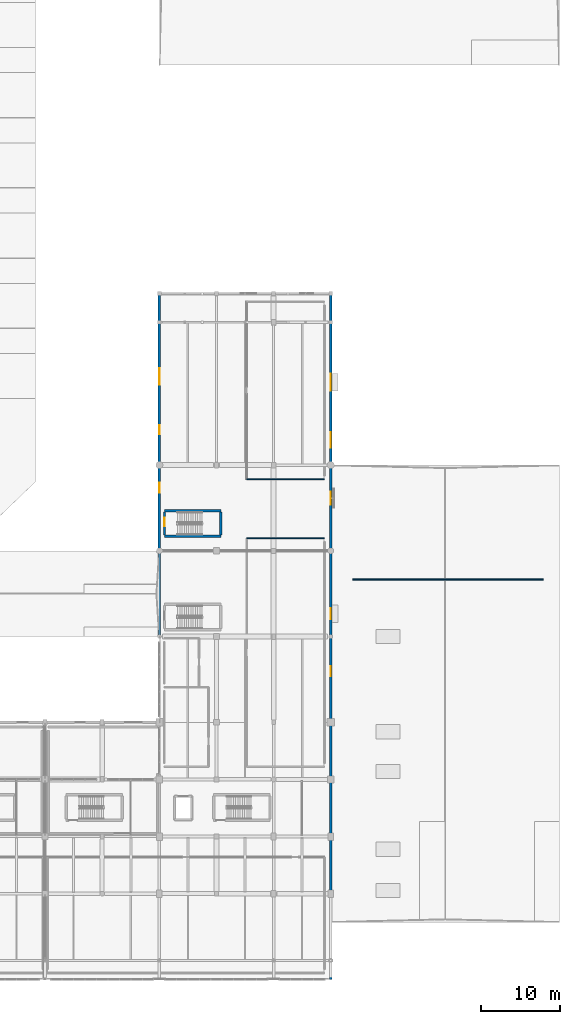
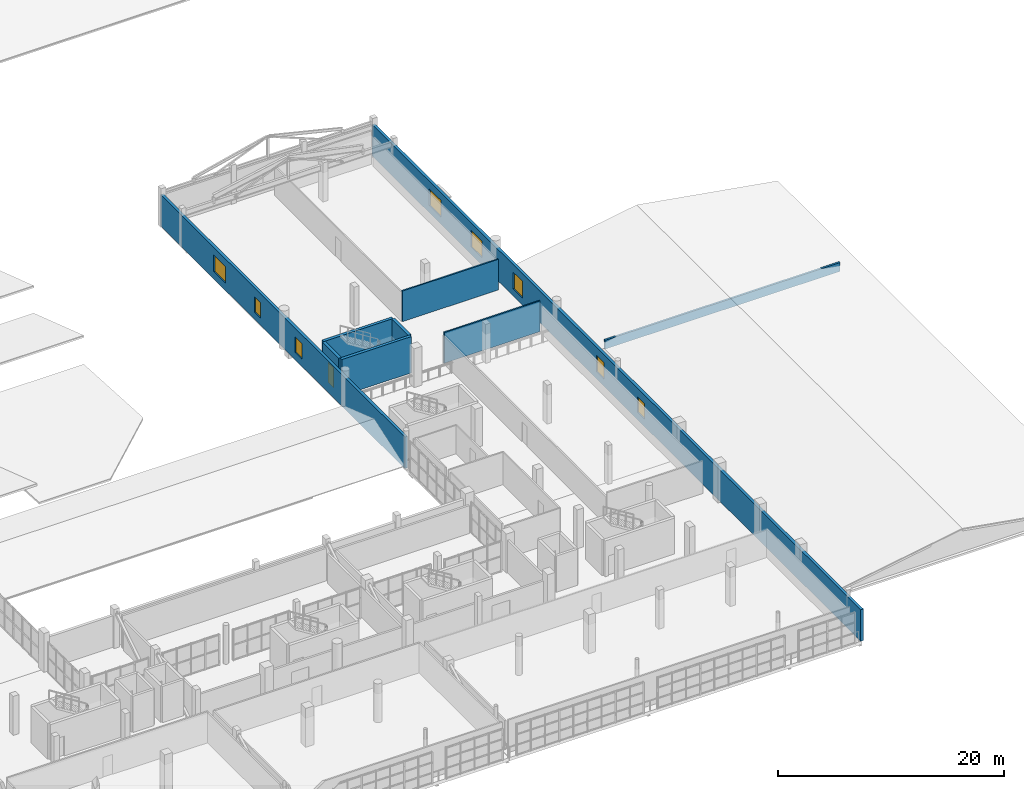
# One storey, part 76 of 90: 9 walls, 8 windows, 1 door, 9 openings.
"""IFC4 building model written with IfcOpenShell, lengths in metres."""

from ifc_helpers import new_model, si_unit, direction, frame, frame_2d, origin, place, context, subcontext, project, spatial, rectangle, extrude, material, layer, layer_set, type_object, element, fill, save


model = new_model("IFC4")

# Units and contexts
model_context = context("Model", 3, precision=1e-05, world=origin(), true_north=direction((0.0, 1.0)))
body_context = subcontext(model_context, "Body", "Model", "MODEL_VIEW")
ifc_project = project(units=[si_unit("LENGTHUNIT", "METRE"), si_unit("AREAUNIT", "SQUARE_METRE"), si_unit("VOLUMEUNIT", "CUBIC_METRE"), si_unit("PLANEANGLEUNIT", "RADIAN"), si_unit("MASSUNIT", "GRAM", prefix="KILO")], contexts=[model_context])

# Site, building, storey
site_placement = place(None, origin())
site = spatial("IfcSite", under=ifc_project, at=site_placement, CompositionType="ELEMENT")
building_placement = place(site_placement, origin())
building = spatial("IfcBuilding", under=site, at=building_placement, Name="Solanera Park Tramway Depot", CompositionType="ELEMENT")
storey_placement = place(building_placement, frame((0.0, 0.0, 9.0)))
storey = spatial("IfcBuildingStorey", under=building, at=storey_placement, Name="L02", CompositionType="ELEMENT", Elevation=9.0)

# Walls
ifc_material_1 = material(Name="Concrete N32 (C32/40)", Category="concrete")
ifc_layer_1 = layer(ifc_material_1, 0.14990234375)
ifc_layer_set_1 = layer_set([ifc_layer_1], Name="Concrete N32 (C32/40)")
wall_type_1 = type_object("IfcWallType", Name="Acoustic Partition 150", PredefinedType="PARTITIONING", material=ifc_layer_set_1)
for number, where, z_axis, x_axis, name in (
    (1, (176.60009765625, 55.60009765625, 0.0), (0.0, 0.0, 1.0), (1.0, 0.0, 0.0), "Passenger Information and GIS Analytics Dividing Wall"),
    (2, (186.39990234375, 63.0, 0.0), (0.0, 0.0, 1.0), (-1.0, 0.0, 0.0), "Cybersecurity Operations SOC Suite Dividing Wall"),
):
    element("IfcWall", number, at=place(storey_placement, frame(where, z_axis=z_axis, x_axis=x_axis)), inside=storey, type_object=wall_type_1, Name=name, PredefinedType="PARTITIONING", context=body_context, shape_type="SweptSolid", body=[
        extrude(rectangle(XDim=9.7998046875, YDim=0.14990234375, at=frame_2d((4.89990234375, 0.0))), origin(), (0.0, 0.0, 1.0), 3.306884765625),
    ])
ifc_material_2 = material(Name="Concrete N40 (C40/50)", Category="concrete")
ifc_layer_2 = layer(ifc_material_2, 0.300048828125)
ifc_layer_set_2 = layer_set([ifc_layer_2], Name="Concrete N40 (C40/50)")
wall_type_2 = type_object("IfcWallType", Name="Core Shear Wall 300", PredefinedType="SHEAR", material=ifc_layer_set_2)
for number, where, z_axis, x_axis, name in (
    (3, (166.25, 55.85009765625, 0.0), (0.0, 0.0, 1.0), (1.0, 0.0, 0.0), "ST-06 L02 Shear Core Wall S"),
    (4, (173.35009765625, 59.050048828125, 0.0), (0.0, 0.0, 1.0), (-1.0, 0.0, 0.0), "ST-06 L02 Shear Core Wall N"),
):
    element("IfcWall", number, at=place(storey_placement, frame(where, z_axis=z_axis, x_axis=x_axis)), inside=storey, type_object=wall_type_2, Name=name, PredefinedType="SHEAR", context=body_context, shape_type="SweptSolid", body=[
        extrude(rectangle(XDim=7.10009765625, YDim=0.300048828125, at=frame_2d((3.550048828125, 0.0))), origin(), (0.0, 0.0, 1.0), 3.925048828125),
    ])
wall_1_placement = place(storey_placement, frame((173.35009765625, 56.0, 0.0), z_axis=(0.0, 0.0, 1.0), x_axis=(0.0, 1.0, 0.0)))
element("IfcWall", 5, at=wall_1_placement, inside=storey, type_object=wall_type_2, Name="ST-06 L02 Shear Core Wall E", PredefinedType="SHEAR", context=body_context, shape_type="SweptSolid", body=[
    extrude(rectangle(XDim=2.89990234375, YDim=0.300048828125, at=frame_2d((1.449951171875, 0.0))), origin(), (0.0, 0.0, 1.0), 3.925048828125),
])

# Wall, opening, door
wall_2_placement = place(storey_placement, frame((166.25, 58.89990234375, 0.0), z_axis=(0.0, 0.0, 1.0), x_axis=(0.0, -1.0, 0.0)))
wall_2 = element("IfcWall", 6, at=wall_2_placement, inside=storey, type_object=wall_type_2, Name="ST-06 L02 Shear Core Wall W", PredefinedType="SHEAR", context=body_context, shape_type="SweptSolid", body=[
    extrude(rectangle(XDim=2.89990234375, YDim=0.300048828125, at=frame_2d((1.449951171875, 0.0))), origin(), (0.0, 0.0, 1.0), 3.925048828125),
])
opening_1_placement = place(wall_2_placement, frame((0.75, 0.0, 0.0)))
opening_1 = element("IfcOpeningElement", 7, at=opening_1_placement, cuts=wall_2, Name="Opening FD-S1L", PredefinedType="OPENING", context=body_context, shape_type="SweptSolid", body=[
    extrude(rectangle(XDim=1.050048828125, YDim=2.14990234375, at=frame_2d((0.52490234375, 1.074951171875))), frame((0.0, 0.16015625, 0.0), z_axis=(0.0, -1.0, 0.0), x_axis=(1.0, 0.0, 0.0)), (0.0, 0.0, 1.0), 0.320068359375),
])
ifc_material_3 = material(Name="Fire-rated steel or solid-core hardwood door leaf", Category="steel")
door_type = type_object("IfcDoorType", Name="Stair Fire Door L 1050x2150", OperationType="SINGLE_SWING_LEFT", PredefinedType="DOOR", material=ifc_material_3)
door_placement = place(opening_1_placement, origin())
door = element("IfcDoor", 8, at=door_placement, inside=storey, type_object=door_type, Name="ST-06 L02 Stair Fire Door", OperationType="SINGLE_SWING_LEFT", OverallHeight=2.14990234375, OverallWidth=1.050048828125, PredefinedType="DOOR", context=body_context, shape_type="SweptSolid", body=[
    extrude(rectangle(XDim=1.050048828125, YDim=2.14990234375, at=frame_2d((0.52490234375, 1.074951171875))), frame((0.0, 0.02490234375, 0.0), z_axis=(0.0, -1.0, 0.0), x_axis=(1.0, 0.0, 0.0)), (0.0, 0.0, 1.0), 0.050048828125),
])
fill(opening_1, door)

# Wall, openings, windows
ifc_material_4 = material(Name="Concrete N32 (C32/40)", Category="concrete")
ifc_layer_3 = layer(ifc_material_4, 0.280029296875)
ifc_layer_set_3 = layer_set([ifc_layer_3], Name="Concrete N32 (C32/40)")
wall_type_3 = type_object("IfcWallType", Name="Ext Stucco Wall 280", PredefinedType="SOLIDWALL", material=ifc_layer_set_3)
wall_3_placement = place(storey_placement, frame((187.199951171875, 0.0, 0.0), z_axis=(0.0, 0.0, 1.0), x_axis=(0.0, 1.0, 0.0)))
wall_3 = element("IfcWall", 9, at=wall_3_placement, inside=storey, type_object=wall_type_3, Name="L02 Exterior Wall #031", PredefinedType="SOLIDWALL", context=body_context, shape_type="SweptSolid", body=[
    extrude(rectangle(XDim=86.39990234375, YDim=0.280029296875, at=frame_2d((43.199951171875, 0.0))), origin(), (0.0, 0.0, 1.0), 3.39990234375),
])
opening_2_placement = place(wall_3_placement, frame((38.199951171875, 0.0, 0.780029296875)))
opening_2 = element("IfcOpeningElement", 10, at=opening_2_placement, cuts=wall_3, Name="Opening WN-C12", PredefinedType="OPENING", context=body_context, shape_type="SweptSolid", body=[
    extrude(rectangle(XDim=1.25, YDim=1.699951171875, at=frame_2d((0.625, 0.85009765625))), frame((0.0, 0.14990234375, 0.0), z_axis=(0.0, -1.0, 0.0), x_axis=(1.0, 0.0, 0.0)), (0.0, 0.0, 1.0), 0.300048828125),
])
opening_3_placement = place(wall_3_placement, frame((45.39990234375, 0.0, 0.780029296875)))
opening_3 = element("IfcOpeningElement", 11, at=opening_3_placement, cuts=wall_3, Name="Opening WN-C13", PredefinedType="OPENING", context=body_context, shape_type="SweptSolid", body=[
    extrude(rectangle(XDim=1.35009765625, YDim=1.75, at=frame_2d((0.675048828125, 0.875))), frame((0.0, 0.14990234375, 0.0), z_axis=(0.0, -1.0, 0.0), x_axis=(1.0, 0.0, 0.0)), (0.0, 0.0, 1.0), 0.300048828125),
])
opening_4_placement = place(wall_3_placement, frame((59.800048828125, 0.0, 0.780029296875)))
opening_4 = element("IfcOpeningElement", 12, at=opening_4_placement, cuts=wall_3, Name="Opening WN-C16", PredefinedType="OPENING", context=body_context, shape_type="SweptSolid", body=[
    extrude(rectangle(XDim=1.64990234375, YDim=1.800048828125, at=frame_2d((0.824951171875, 0.89990234375))), frame((0.0, 0.14990234375, 0.0), z_axis=(0.0, -1.0, 0.0), x_axis=(1.0, 0.0, 0.0)), (0.0, 0.0, 1.0), 0.300048828125),
])
opening_5_placement = place(wall_3_placement, frame((67.0, 0.0, 0.780029296875)))
opening_5 = element("IfcOpeningElement", 13, at=opening_5_placement, cuts=wall_3, Name="Opening WN-C19", PredefinedType="OPENING", context=body_context, shape_type="SweptSolid", body=[
    extrude(rectangle(XDim=1.949951171875, YDim=1.800048828125, at=frame_2d((0.97509765625, 0.89990234375))), frame((0.0, 0.14990234375, 0.0), z_axis=(0.0, -1.0, 0.0), x_axis=(1.0, 0.0, 0.0)), (0.0, 0.0, 1.0), 0.300048828125),
])
opening_6_placement = place(wall_3_placement, frame((74.199951171875, 0.0, 0.780029296875)))
opening_6 = element("IfcOpeningElement", 14, at=opening_6_placement, cuts=wall_3, Name="Opening WN-C21", PredefinedType="OPENING", context=body_context, shape_type="SweptSolid", body=[
    extrude(rectangle(XDim=2.10009765625, YDim=1.800048828125, at=frame_2d((1.050048828125, 0.89990234375))), frame((0.0, 0.14990234375, 0.0), z_axis=(0.0, -1.0, 0.0), x_axis=(1.0, 0.0, 0.0)), (0.0, 0.0, 1.0), 0.300048828125),
])
ifc_material_5 = material(Name="Powder-coated aluminium frame with solar-control double glazing", Category="aluminium")
window_type_1 = type_object("IfcWindowType", Name="Cloister Casement Window 1250x1700", PartitioningType="SINGLE_PANEL", PredefinedType="WINDOW", material=ifc_material_5)
window_1_placement = place(opening_2_placement, origin())
window_1 = element("IfcWindow", 15, at=window_1_placement, inside=storey, type_object=window_type_1, Name="L02 Cloister Casement Window 1250x1700 #0137", OverallHeight=1.699951171875, OverallWidth=1.25, PartitioningType="SINGLE_PANEL", PredefinedType="WINDOW", context=body_context, shape_type="SweptSolid", body=[
    extrude(rectangle(XDim=1.25, YDim=1.699951171875, at=frame_2d((0.625, 0.85009765625))), frame((0.0, 0.030029296875, 0.0), z_axis=(0.0, -1.0, 0.0), x_axis=(1.0, 0.0, 0.0)), (0.0, 0.0, 1.0), 0.06005859375),
])
fill(opening_2, window_1)
ifc_material_6 = material(Name="Powder-coated aluminium frame with solar-control double glazing", Category="aluminium")
window_type_2 = type_object("IfcWindowType", Name="Cloister Casement Window 1350x1750", PartitioningType="SINGLE_PANEL", PredefinedType="WINDOW", material=ifc_material_6)
window_2_placement = place(opening_3_placement, origin())
window_2 = element("IfcWindow", 16, at=window_2_placement, inside=storey, type_object=window_type_2, Name="L02 Cloister Casement Window 1350x1750 #0138", OverallHeight=1.75, OverallWidth=1.35009765625, PartitioningType="SINGLE_PANEL", PredefinedType="WINDOW", context=body_context, shape_type="SweptSolid", body=[
    extrude(rectangle(XDim=1.35009765625, YDim=1.75, at=frame_2d((0.675048828125, 0.875))), frame((0.0, 0.030029296875, 0.0), z_axis=(0.0, -1.0, 0.0), x_axis=(1.0, 0.0, 0.0)), (0.0, 0.0, 1.0), 0.06005859375),
])
fill(opening_3, window_2)
ifc_material_7 = material(Name="Powder-coated aluminium frame with solar-control double glazing", Category="aluminium")
window_type_3 = type_object("IfcWindowType", Name="Cloister Casement Window 1650x1800", PartitioningType="SINGLE_PANEL", PredefinedType="WINDOW", material=ifc_material_7)
window_3_placement = place(opening_4_placement, origin())
window_3 = element("IfcWindow", 17, at=window_3_placement, inside=storey, type_object=window_type_3, Name="L02 Cloister Casement Window 1650x1800 #0139", OverallHeight=1.800048828125, OverallWidth=1.64990234375, PartitioningType="SINGLE_PANEL", PredefinedType="WINDOW", context=body_context, shape_type="SweptSolid", body=[
    extrude(rectangle(XDim=1.64990234375, YDim=1.800048828125, at=frame_2d((0.824951171875, 0.89990234375))), frame((0.0, 0.030029296875, 0.0), z_axis=(0.0, -1.0, 0.0), x_axis=(1.0, 0.0, 0.0)), (0.0, 0.0, 1.0), 0.06005859375),
])
fill(opening_4, window_3)
ifc_material_8 = material(Name="Powder-coated aluminium frame with solar-control double glazing", Category="aluminium")
window_type_4 = type_object("IfcWindowType", Name="Cloister Casement Window 1950x1800", PartitioningType="SINGLE_PANEL", PredefinedType="WINDOW", material=ifc_material_8)
window_4_placement = place(opening_5_placement, origin())
window_4 = element("IfcWindow", 18, at=window_4_placement, inside=storey, type_object=window_type_4, Name="L02 Cloister Casement Window 1950x1800 #0140", OverallHeight=1.800048828125, OverallWidth=1.949951171875, PartitioningType="SINGLE_PANEL", PredefinedType="WINDOW", context=body_context, shape_type="SweptSolid", body=[
    extrude(rectangle(XDim=1.949951171875, YDim=1.800048828125, at=frame_2d((0.97509765625, 0.89990234375))), frame((0.0, 0.030029296875, 0.0), z_axis=(0.0, -1.0, 0.0), x_axis=(1.0, 0.0, 0.0)), (0.0, 0.0, 1.0), 0.06005859375),
])
fill(opening_5, window_4)
ifc_material_9 = material(Name="Powder-coated aluminium frame with solar-control double glazing", Category="aluminium")
window_type_5 = type_object("IfcWindowType", Name="Cloister Casement Window 2100x1800", PartitioningType="SINGLE_PANEL", PredefinedType="WINDOW", material=ifc_material_9)
window_5_placement = place(opening_6_placement, origin())
window_5 = element("IfcWindow", 19, at=window_5_placement, inside=storey, type_object=window_type_5, Name="L02 Cloister Casement Window 2100x1800 #0141", OverallHeight=1.800048828125, OverallWidth=2.10009765625, PartitioningType="SINGLE_PANEL", PredefinedType="WINDOW", context=body_context, shape_type="SweptSolid", body=[
    extrude(rectangle(XDim=2.10009765625, YDim=1.800048828125, at=frame_2d((1.050048828125, 0.89990234375))), frame((0.0, 0.030029296875, 0.0), z_axis=(0.0, -1.0, 0.0), x_axis=(1.0, 0.0, 0.0)), (0.0, 0.0, 1.0), 0.06005859375),
])
fill(opening_6, window_5)

wall_4_placement = place(storey_placement, frame((165.60009765625, 86.39990234375, 0.0), z_axis=(0.0, 0.0, 1.0), x_axis=(0.0, -1.0, 0.0)))
wall_4 = element("IfcWall", 20, at=wall_4_placement, inside=storey, type_object=wall_type_3, Name="L02 Exterior Wall #033", PredefinedType="SOLIDWALL", context=body_context, shape_type="SweptSolid", body=[
    extrude(rectangle(XDim=43.199951171875, YDim=0.280029296875, at=frame_2d((21.60009765625, 0.0))), origin(), (0.0, 0.0, 1.0), 3.39990234375),
])
opening_7_placement = place(wall_4_placement, frame((9.39990234375, 0.0, 0.780029296875)))
opening_7 = element("IfcOpeningElement", 21, at=opening_7_placement, cuts=wall_4, Name="Opening WN-C21", PredefinedType="OPENING", context=body_context, shape_type="SweptSolid", body=[
    extrude(rectangle(XDim=2.10009765625, YDim=1.800048828125, at=frame_2d((1.050048828125, 0.89990234375))), frame((0.0, 0.14990234375, 0.0), z_axis=(0.0, -1.0, 0.0), x_axis=(1.0, 0.0, 0.0)), (0.0, 0.0, 1.0), 0.300048828125),
])
opening_8_placement = place(wall_4_placement, frame((16.60009765625, 0.0, 0.780029296875)))
opening_8 = element("IfcOpeningElement", 22, at=opening_8_placement, cuts=wall_4, Name="Opening WN-C11", PredefinedType="OPENING", context=body_context, shape_type="SweptSolid", body=[
    extrude(rectangle(XDim=1.10009765625, YDim=1.64990234375, at=frame_2d((0.550048828125, 0.824951171875))), frame((0.0, 0.14990234375, 0.0), z_axis=(0.0, -1.0, 0.0), x_axis=(1.0, 0.0, 0.0)), (0.0, 0.0, 1.0), 0.300048828125),
])
opening_9_placement = place(wall_4_placement, frame((23.800048828125, 0.0, 0.780029296875)))
opening_9 = element("IfcOpeningElement", 23, at=opening_9_placement, cuts=wall_4, Name="Opening WN-C12", PredefinedType="OPENING", context=body_context, shape_type="SweptSolid", body=[
    extrude(rectangle(XDim=1.25, YDim=1.699951171875, at=frame_2d((0.625, 0.85009765625))), frame((0.0, 0.14990234375, 0.0), z_axis=(0.0, -1.0, 0.0), x_axis=(1.0, 0.0, 0.0)), (0.0, 0.0, 1.0), 0.300048828125),
])
ifc_material_10 = material(Name="Powder-coated aluminium frame with solar-control double glazing", Category="aluminium")
window_type_6 = type_object("IfcWindowType", Name="Cloister Casement Window 1100x1650", PartitioningType="SINGLE_PANEL", PredefinedType="WINDOW", material=ifc_material_10)
window_6_placement = place(opening_8_placement, origin())
window_6 = element("IfcWindow", 24, at=window_6_placement, inside=storey, type_object=window_type_6, Name="L02 Cloister Casement Window 1100x1650 #0145", OverallHeight=1.64990234375, OverallWidth=1.10009765625, PartitioningType="SINGLE_PANEL", PredefinedType="WINDOW", context=body_context, shape_type="SweptSolid", body=[
    extrude(rectangle(XDim=1.10009765625, YDim=1.64990234375, at=frame_2d((0.550048828125, 0.824951171875))), frame((0.0, 0.030029296875, 0.0), z_axis=(0.0, -1.0, 0.0), x_axis=(1.0, 0.0, 0.0)), (0.0, 0.0, 1.0), 0.06005859375),
])
fill(opening_8, window_6)
window_7_placement = place(opening_9_placement, origin())
window_7 = element("IfcWindow", 25, at=window_7_placement, inside=storey, type_object=window_type_1, Name="L02 Cloister Casement Window 1250x1700 #0146", OverallHeight=1.699951171875, OverallWidth=1.25, PartitioningType="SINGLE_PANEL", PredefinedType="WINDOW", context=body_context, shape_type="SweptSolid", body=[
    extrude(rectangle(XDim=1.25, YDim=1.699951171875, at=frame_2d((0.625, 0.85009765625))), frame((0.0, 0.030029296875, 0.0), z_axis=(0.0, -1.0, 0.0), x_axis=(1.0, 0.0, 0.0)), (0.0, 0.0, 1.0), 0.06005859375),
])
fill(opening_9, window_7)
window_8_placement = place(opening_7_placement, origin())
window_8 = element("IfcWindow", 26, at=window_8_placement, inside=storey, type_object=window_type_5, Name="L02 Cloister Casement Window 2100x1800 #0144", OverallHeight=1.800048828125, OverallWidth=2.10009765625, PartitioningType="SINGLE_PANEL", PredefinedType="WINDOW", context=body_context, shape_type="SweptSolid", body=[
    extrude(rectangle(XDim=2.10009765625, YDim=1.800048828125, at=frame_2d((1.050048828125, 0.89990234375))), frame((0.0, 0.030029296875, 0.0), z_axis=(0.0, -1.0, 0.0), x_axis=(1.0, 0.0, 0.0)), (0.0, 0.0, 1.0), 0.06005859375),
])
fill(opening_7, window_8)

# Wall
ifc_material_11 = material(Name="Concrete N32 (C32/40)", Category="concrete")
ifc_layer_4 = layer(ifc_material_11, 0.199951171875)
ifc_layer_set_4 = layer_set([ifc_layer_4], Name="Concrete N32 (C32/40)")
wall_type_4 = type_object("IfcWallType", Name="Roof Parapet Wall 200", PredefinedType="PARAPET", material=ifc_layer_set_4)
wall_5_placement = place(storey_placement, frame((190.0, 50.39990234375, 0.0), z_axis=(0.0, 0.0, 1.0), x_axis=(1.0, 0.0, 0.0)))
element("IfcWall", 27, at=wall_5_placement, inside=storey, type_object=wall_type_4, Name="Roof Parapet Wall #05", PredefinedType="PARAPET", context=body_context, shape_type="SweptSolid", body=[
    extrude(rectangle(XDim=24.0, YDim=0.199951171875, at=frame_2d((12.0, 0.0))), origin(), (0.0, 0.0, 1.0), 0.949951171875),
])

save(model, "model.ifc")
